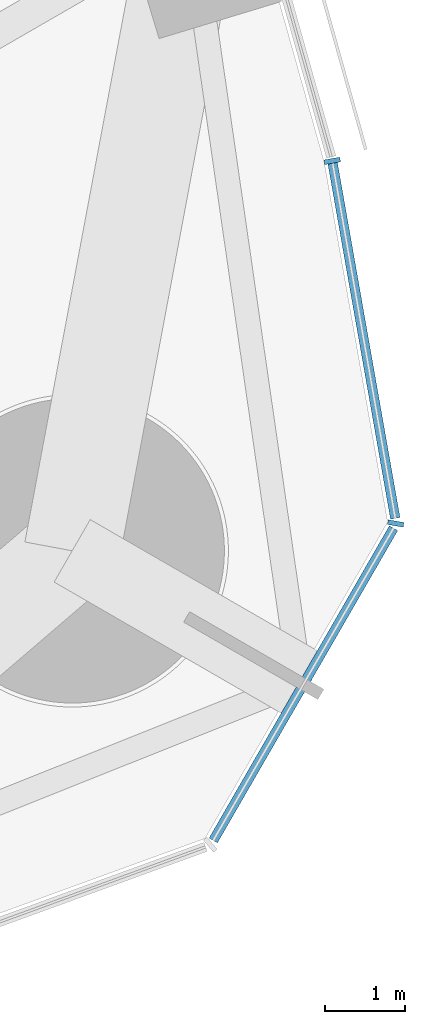
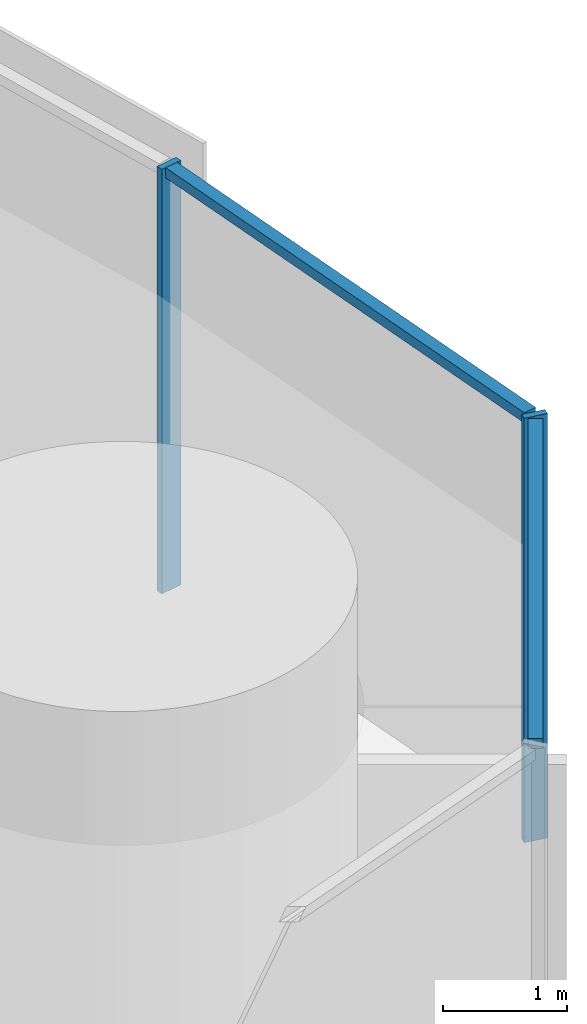
# One storey, part 9 of 19: 4 members, 1 element without a shape of its own.
"""IFC4 building model written with IfcOpenShell, lengths in metres."""

from ifc_helpers import new_model, si_unit, direction, frame, origin, origin_2d, place, context, subcontext, project, spatial, rectangle, extrude, material, material_profile, profile_set, type_object, element, aggregate, save


model = new_model("IFC4")

# Units and contexts
model_context = context("Model", 3, precision=1e-05, world=origin(), true_north=direction((0.0, 1.0)))
body_context = subcontext(model_context, "Body", "Model", "MODEL_VIEW")
ifc_project = project(units=[si_unit("LENGTHUNIT", "METRE"), si_unit("AREAUNIT", "SQUARE_METRE"), si_unit("VOLUMEUNIT", "CUBIC_METRE"), si_unit("PLANEANGLEUNIT", "RADIAN"), si_unit("MASSUNIT", "GRAM", prefix="KILO")], contexts=[model_context])

# Site, building, storey
site_placement = place(None, origin())
site = spatial("IfcSite", under=ifc_project, at=site_placement, CompositionType="ELEMENT")
building_placement = place(site_placement, origin())
building = spatial("IfcBuilding", under=site, at=building_placement, Name="Trefoil Bronze Tower", CompositionType="ELEMENT")
storey_placement = place(building_placement, frame((0.0, 0.0, 189.699951171875)))
storey = spatial("IfcBuildingStorey", under=building, at=storey_placement, Name="L43", CompositionType="ELEMENT", Elevation=189.699951171875)

# Curtain wall, members
ifc_material_1 = material(Name="Tinted solar-control glass", Category="glass")
curtain_wall_type = type_object("IfcCurtainWallType", Name="Bronze rounded corner curtain wall", PredefinedType="USERDEFINED", material=ifc_material_1)
curtain_wall_placement = place(storey_placement, origin())
curtain_wall = element("IfcCurtainWall", 1, at=curtain_wall_placement, inside=storey, type_object=curtain_wall_type, Name="CW-B L43 K1", ObjectType="CURTAIN WALL", PredefinedType="USERDEFINED")
ifc_material_2 = material(Name="Bronze-finish aluminium", Category="aluminium")
ifc_material_profile_1 = material_profile(ifc_material_2, rectangle(XDim=0.199951171875, YDim=0.06005859375, at=origin_2d()), Name="CW-B mullion")
ifc_profile_set_1 = profile_set([ifc_material_profile_1], Name="Bronze-finish aluminium")
member_type_1 = type_object("IfcMemberType", Name="Bronze rounded corner curtain wall mullion", PredefinedType="MULLION", material=ifc_profile_set_1)
member_1_placement = place(storey_placement, frame((32.616943359375, -16.158935546875, 0.0), z_axis=(0.0, 0.0, 1.0), x_axis=(-0.984807753012, 0.173648177667, 0.0)))
member_1 = element("IfcMember", 2, at=member_1_placement, type_object=member_type_1, Name="CW-B L43 K1 mullion 3", PredefinedType="MULLION", context=body_context, shape_type="SweptSolid", body=[
    extrude(rectangle(XDim=0.199951171875, YDim=0.06005859375, at=origin_2d()), origin(), (0.0, 0.0, 1.0), 4.179931640625),
])
member_2_placement = place(storey_placement, frame((31.824951171875, -11.63330078125, 0.0), z_axis=(0.0, 0.0, 1.0), x_axis=(-0.984807753012, -0.173648177667, 0.0)))
member_2 = element("IfcMember", 3, at=member_2_placement, type_object=member_type_1, Name="CW-B L43 K1 mullion 4", PredefinedType="MULLION", context=body_context, shape_type="SweptSolid", body=[
    extrude(rectangle(XDim=0.199951171875, YDim=0.06005859375, at=origin_2d()), origin(), (0.0, 0.0, 1.0), 4.179931640625),
])
ifc_material_3 = material(Name="Bronze-finish aluminium", Category="aluminium")
ifc_material_profile_2 = material_profile(ifc_material_3, rectangle(XDim=0.1201171875, YDim=0.10009765625, at=origin_2d()), Name="CW-B transom")
ifc_profile_set_2 = profile_set([ifc_material_profile_2], Name="Bronze-finish aluminium")
member_type_2 = type_object("IfcMemberType", Name="Bronze rounded corner curtain wall transom", PredefinedType="USERDEFINED", material=ifc_profile_set_2)
member_3_placement = place(storey_placement, frame((30.33984375, -20.114990234375, 4.130126953125), z_axis=(0.500007335828, 0.866021168401, 0.0), x_axis=(-0.866021168401, 0.500007335828, 0.0)))
member_3 = element("IfcMember", 4, at=member_3_placement, type_object=member_type_2, Name="CW-B L43 K1 transom 2", ObjectType="TRANSOM", PredefinedType="USERDEFINED", context=body_context, shape_type="SweptSolid", body=[
    extrude(rectangle(XDim=0.1201171875, YDim=0.10009765625, at=origin_2d()), origin(), (0.0, 0.0, 1.0), 4.50048828125),
])
member_4_placement = place(storey_placement, frame((32.611572265625, -16.0947265625, 4.130126953125), z_axis=(-0.173655350028, 0.984806488304, 0.0), x_axis=(-0.984806488304, -0.173655350028, 0.0)))
member_4 = element("IfcMember", 5, at=member_4_placement, type_object=member_type_2, Name="CW-B L43 K1 transom 3", ObjectType="TRANSOM", PredefinedType="USERDEFINED", context=body_context, shape_type="SweptSolid", body=[
    extrude(rectangle(XDim=0.1201171875, YDim=0.10009765625, at=origin_2d()), origin(), (0.0, 0.0, 1.0), 4.500244140625),
])
aggregate(curtain_wall, [member_1, member_2, member_3, member_4])

save(model, "model.ifc")
